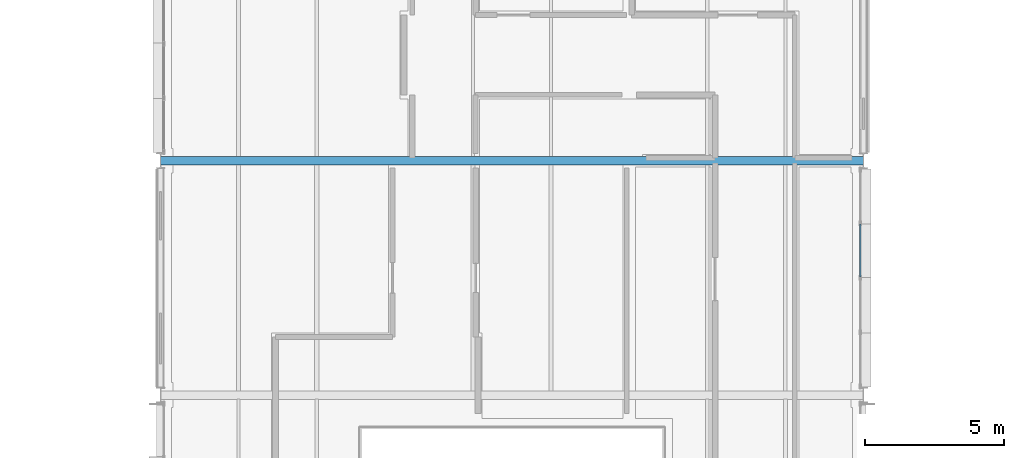
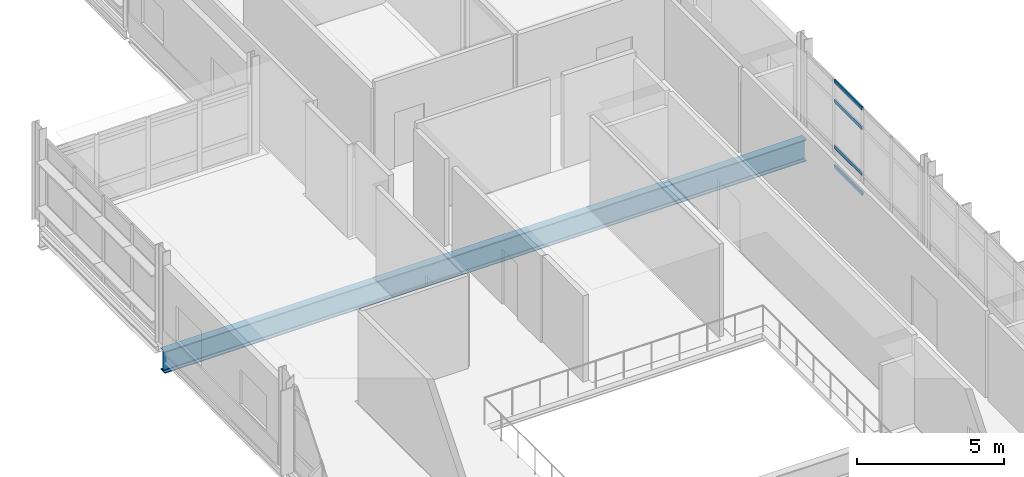
# One storey, part 58 of 131: 4 members, 1 beam, 1 element without a shape of its own.
"""IFC4 building model written with IfcOpenShell, lengths in metres."""

from ifc_helpers import new_model, si_unit, direction, frame, origin, origin_2d, place, context, subcontext, project, spatial, hollow_rectangle, i_section, extrude, material, material_profile, profile_set, type_object, element, aggregate, save


model = new_model("IFC4")

# Units and contexts
model_context = context("Model", 3, precision=1e-05, world=origin(), true_north=direction((0.0, 1.0)))
body_context = subcontext(model_context, "Body", "Model", "MODEL_VIEW")
ifc_project = project(units=[si_unit("LENGTHUNIT", "METRE"), si_unit("AREAUNIT", "SQUARE_METRE"), si_unit("VOLUMEUNIT", "CUBIC_METRE"), si_unit("PLANEANGLEUNIT", "RADIAN"), si_unit("MASSUNIT", "GRAM", prefix="KILO")], contexts=[model_context])

# Site, building, storey
site_placement = place(None, origin())
site = spatial("IfcSite", under=ifc_project, at=site_placement, CompositionType="ELEMENT")
building_placement = place(site_placement, origin())
building = spatial("IfcBuilding", under=site, at=building_placement, Name="Mersafa Astral City Hall", CompositionType="ELEMENT")
storey_placement = place(building_placement, frame((0.0, 0.0, 13.949951171875)))
storey = spatial("IfcBuildingStorey", under=building, at=storey_placement, Name="L03", CompositionType="ELEMENT", Elevation=13.949951171875)

# Curtain wall, members
ifc_material_1 = material(Name="Anodised bronze aluminium framing", Category="aluminium")
curtain_wall_type = type_object("IfcCurtainWallType", Name="ENV-CW-6", PredefinedType="USERDEFINED", material=ifc_material_1)
curtain_wall_placement = place(storey_placement, origin())
curtain_wall = element("IfcCurtainWall", 1, at=curtain_wall_placement, inside=storey, type_object=curtain_wall_type, Name="L03 Unitised solar curtain wall 155", ObjectType="UNITISED CURTAIN WALL", PredefinedType="USERDEFINED")
ifc_material_profile_1 = material_profile(ifc_material_1, hollow_rectangle(XDim=0.06005859375, YDim=0.139892578125, WallThickness=0.00390625, at=origin_2d()), Name="RHS 60x140x4")
ifc_profile_set_1 = profile_set([ifc_material_profile_1], Name="Anodised bronze aluminium framing")
member_type = type_object("IfcMemberType", Name="ENV-CW-TRN-1", PredefinedType="USERDEFINED", material=ifc_profile_set_1)
member_1_placement = place(storey_placement, frame((117.47998046875, 79.830078125, 0.028076171875), z_axis=(0.0, 1.0, 0.0), x_axis=(-1.0, 0.0, 0.0)))
member_1 = element("IfcMember", 2, at=member_1_placement, type_object=member_type, Name="CW-6 transom 3.1", ObjectType="TRANSOM", PredefinedType="USERDEFINED", context=body_context, shape_type="SweptSolid", body=[
    extrude(hollow_rectangle(XDim=0.06005859375, YDim=0.139892578125, WallThickness=0.00390625, at=origin_2d()), origin(), (0.0, 0.0, 1.0), 1.896484375),
])
member_2_placement = place(storey_placement, frame((117.47998046875, 79.830078125, 0.85009765625), z_axis=(0.0, 1.0, 0.0), x_axis=(-1.0, 0.0, 0.0)))
member_2 = element("IfcMember", 3, at=member_2_placement, type_object=member_type, Name="CW-6 transom 3.2", ObjectType="TRANSOM", PredefinedType="USERDEFINED", context=body_context, shape_type="SweptSolid", body=[
    extrude(hollow_rectangle(XDim=0.06005859375, YDim=0.139892578125, WallThickness=0.00390625, at=origin_2d()), origin(), (0.0, 0.0, 1.0), 1.896484375),
])
member_3_placement = place(storey_placement, frame((117.47998046875, 79.830078125, 2.75), z_axis=(0.0, 1.0, 0.0), x_axis=(-1.0, 0.0, 0.0)))
member_3 = element("IfcMember", 4, at=member_3_placement, type_object=member_type, Name="CW-6 transom 3.3", ObjectType="TRANSOM", PredefinedType="USERDEFINED", context=body_context, shape_type="SweptSolid", body=[
    extrude(hollow_rectangle(XDim=0.06005859375, YDim=0.139892578125, WallThickness=0.00390625, at=origin_2d()), origin(), (0.0, 0.0, 1.0), 1.896484375),
])
member_4_placement = place(storey_placement, frame((117.47998046875, 79.830078125, 3.56201171875), z_axis=(0.0, 1.0, 0.0), x_axis=(-1.0, 0.0, 0.0)))
member_4 = element("IfcMember", 5, at=member_4_placement, type_object=member_type, Name="CW-6 transom 3.4", ObjectType="TRANSOM", PredefinedType="USERDEFINED", context=body_context, shape_type="SweptSolid", body=[
    extrude(hollow_rectangle(XDim=0.06005859375, YDim=0.139892578125, WallThickness=0.00390625, at=origin_2d()), origin(), (0.0, 0.0, 1.0), 1.896484375),
])
aggregate(curtain_wall, [member_1, member_2, member_3, member_4])

# Beam
ifc_material_2 = material(Name="Steel S355", Category="steel")
ifc_material_profile_2 = material_profile(ifc_material_2, i_section(OverallWidth=0.300048828125, OverallDepth=0.89990234375, WebThickness=0.0185546875, FlangeThickness=0.034912109375, FilletRadius=0.030029296875, at=origin_2d()), Name="HEB 900")
ifc_profile_set_2 = profile_set([ifc_material_profile_2], Name="Steel S355")
beam_type = type_object("IfcBeamType", Name="STR-BM-HEB900", PredefinedType="BEAM", material=ifc_profile_set_2)
beam_placement = place(storey_placement, frame((92.403076171875, 84.0, -0.64990234375), z_axis=(1.0, 0.0, 0.0), x_axis=(0.0, 1.0, 0.0)))
element("IfcBeam", 6, at=beam_placement, inside=storey, type_object=beam_type, Name="L03 Public Service Hall clear-span portal girder 10", PredefinedType="BEAM", context=body_context, shape_type="SweptSolid", body=[
    extrude(i_section(OverallWidth=0.300048828125, OverallDepth=0.89990234375, WebThickness=0.0185546875, FlangeThickness=0.034912109375, FilletRadius=0.030029296875, at=origin_2d()), origin(), (0.0, 0.0, 1.0), 25.19384765625),
])

save(model, "model.ifc")
